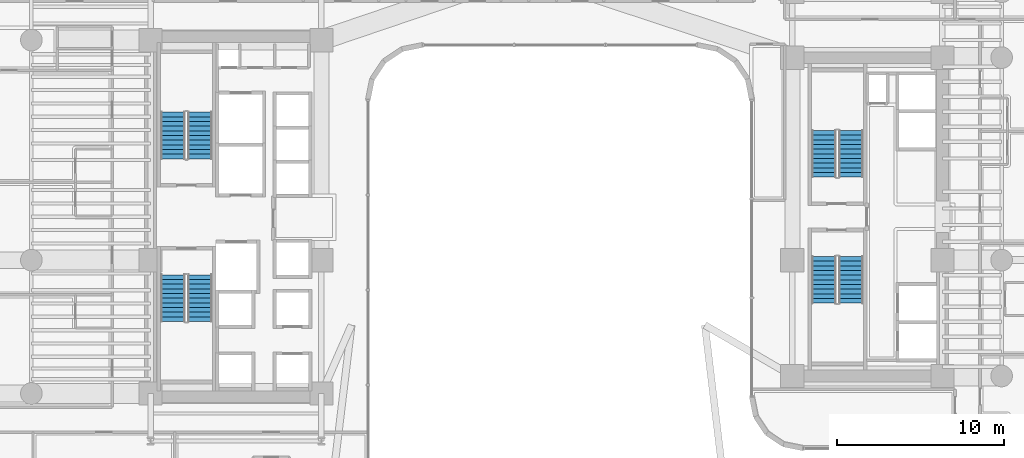
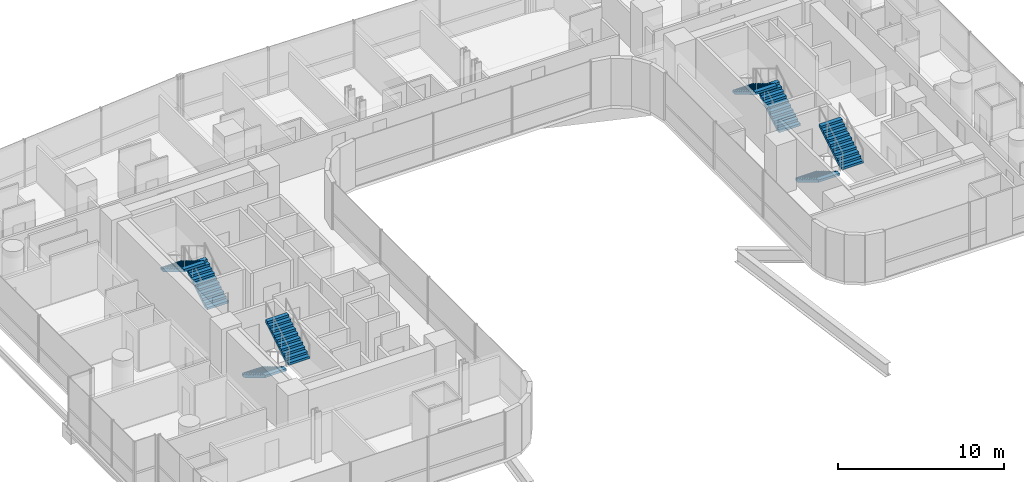
# One storey, part 44 of 50: 8 stair flights, 4 elements without a shape of their own.
"""IFC4 building model written with IfcOpenShell, lengths in metres."""

from ifc_helpers import new_model, si_unit, direction, frame, origin, place, context, subcontext, project, spatial, polyline, outline, extrude, material, type_object, element, aggregate, save


model = new_model("IFC4")

# Units and contexts
model_context = context("Model", 3, precision=1e-05, world=origin(), true_north=direction((0.0, 1.0)))
body_context = subcontext(model_context, "Body", "Model", "MODEL_VIEW")
ifc_project = project(units=[si_unit("LENGTHUNIT", "METRE"), si_unit("AREAUNIT", "SQUARE_METRE"), si_unit("VOLUMEUNIT", "CUBIC_METRE"), si_unit("PLANEANGLEUNIT", "RADIAN"), si_unit("MASSUNIT", "GRAM", prefix="KILO")], contexts=[model_context])

# Site, building, storey
site_placement = place(None, origin())
site = spatial("IfcSite", under=ifc_project, at=site_placement, CompositionType="ELEMENT")
building_placement = place(site_placement, origin())
building = spatial("IfcBuilding", under=site, at=building_placement, Name="Valdorenza Pilgrim Sanctuary Tower", CompositionType="ELEMENT")
storey_placement = place(building_placement, frame((0.0, 0.0, 26.0)))
storey = spatial("IfcBuildingStorey", under=building, at=storey_placement, Name="L05", CompositionType="ELEMENT", Elevation=26.0)

# Stair, stair flights
ifc_material = material(Name="Concrete C40/50", Category="concrete")
stair_type = type_object("IfcStairType", Name="STR-DOG-CORE", PredefinedType="HALF_TURN_STAIR", material=ifc_material)
stair_1_placement = place(storey_placement, origin())
stair_1 = element("IfcStair", 1, at=stair_1_placement, inside=storey, type_object=stair_type, Name="L05 ST-A1", PredefinedType="HALF_TURN_STAIR")
stair_flight_type = type_object("IfcStairFlightType", Name="STF-RC-1400", PredefinedType="STRAIGHT", material=ifc_material)
stair_flight_1_placement = place(storey_placement, frame((-19.679931640625, 3.47998046875, 0.0), z_axis=(0.0, 0.0, 1.0), x_axis=(0.0, 1.0, 0.0)))
stair_flight_1 = element("IfcStairFlight", 2, at=stair_flight_1_placement, type_object=stair_flight_type, Name="ST-A1 flight 1", NumberOfRisers=11, NumberOfTreads=10, PredefinedType="STRAIGHT", RiserHeight=0.168181818, TreadLength=0.28, context=body_context, shape_type="SweptSolid", body=[
    extrude(outline(polyline([(0.0, 0.0), (0.0, 0.168212890625), (0.280029296875, 0.168212890625), (0.280029296875, 0.33642578125), (0.56005859375, 0.33642578125), (0.56005859375, 0.504638671875), (0.840087890625, 0.504638671875), (0.840087890625, 0.672607421875), (1.1201171875, 0.672607421875), (1.1201171875, 0.8408203125), (1.39990234375, 0.8408203125), (1.39990234375, 1.009033203125), (1.679931640625, 1.009033203125), (1.679931640625, 1.17724609375), (1.9599609375, 1.17724609375), (1.9599609375, 1.345458984375), (2.239990234375, 1.345458984375), (2.239990234375, 1.513671875), (2.52001953125, 1.513671875), (2.52001953125, 1.681884765625), (2.800048828125, 1.681884765625), (2.800048828125, 1.85009765625), (2.800048828125, 1.5068359375), (0.291015625, 0.0), (0.0, 0.0)])), frame((0.0, 0.739990234375, 0.0), z_axis=(0.0, -1.0, 0.0), x_axis=(1.0, 0.0, 0.0)), (0.0, 0.0, 1.0), 1.47998046875),
])
stair_flight_2_placement = place(storey_placement, frame((-21.31005859375, 6.280029296875, 1.85009765625), z_axis=(0.0, 0.0, 1.0), x_axis=(0.0, -1.0, 0.0)))
stair_flight_2 = element("IfcStairFlight", 3, at=stair_flight_2_placement, type_object=stair_flight_type, Name="ST-A1 flight 2", NumberOfRisers=11, NumberOfTreads=10, PredefinedType="STRAIGHT", RiserHeight=0.168181818, TreadLength=0.28, context=body_context, shape_type="SweptSolid", body=[
    extrude(outline(polyline([(0.0, 0.0), (0.0, 0.168212890625), (0.280029296875, 0.168212890625), (0.280029296875, 0.33642578125), (0.56005859375, 0.33642578125), (0.56005859375, 0.504638671875), (0.840087890625, 0.504638671875), (0.840087890625, 0.672607421875), (1.1201171875, 0.672607421875), (1.1201171875, 0.8408203125), (1.39990234375, 0.8408203125), (1.39990234375, 1.009033203125), (1.679931640625, 1.009033203125), (1.679931640625, 1.17724609375), (1.9599609375, 1.17724609375), (1.9599609375, 1.345458984375), (2.239990234375, 1.345458984375), (2.239990234375, 1.513671875), (2.52001953125, 1.513671875), (2.52001953125, 1.681884765625), (2.800048828125, 1.681884765625), (2.800048828125, 1.85009765625), (2.800048828125, 1.5068359375), (0.291015625, 0.0), (0.0, 0.0)])), frame((0.0, 0.739990234375, 0.0), z_axis=(0.0, -1.0, 0.0), x_axis=(1.0, 0.0, 0.0)), (0.0, 0.0, 1.0), 1.47998046875),
])
aggregate(stair_1, [stair_flight_1, stair_flight_2])

stair_2_placement = place(storey_placement, origin())
stair_2 = element("IfcStair", 4, at=stair_2_placement, inside=storey, type_object=stair_type, Name="L05 ST-A2", PredefinedType="HALF_TURN_STAIR")
stair_flight_3_placement = place(storey_placement, frame((-21.31005859375, -3.47998046875, 0.0), z_axis=(0.0, 0.0, 1.0), x_axis=(0.0, -1.0, 0.0)))
stair_flight_3 = element("IfcStairFlight", 5, at=stair_flight_3_placement, type_object=stair_flight_type, Name="ST-A2 flight 1", NumberOfRisers=11, NumberOfTreads=10, PredefinedType="STRAIGHT", RiserHeight=0.168181818, TreadLength=0.28, context=body_context, shape_type="SweptSolid", body=[
    extrude(outline(polyline([(0.0, 0.0), (0.0, 0.168212890625), (0.280029296875, 0.168212890625), (0.280029296875, 0.33642578125), (0.56005859375, 0.33642578125), (0.56005859375, 0.504638671875), (0.840087890625, 0.504638671875), (0.840087890625, 0.672607421875), (1.1201171875, 0.672607421875), (1.1201171875, 0.8408203125), (1.39990234375, 0.8408203125), (1.39990234375, 1.009033203125), (1.679931640625, 1.009033203125), (1.679931640625, 1.17724609375), (1.9599609375, 1.17724609375), (1.9599609375, 1.345458984375), (2.239990234375, 1.345458984375), (2.239990234375, 1.513671875), (2.52001953125, 1.513671875), (2.52001953125, 1.681884765625), (2.800048828125, 1.681884765625), (2.800048828125, 1.85009765625), (2.800048828125, 1.5068359375), (0.291015625, 0.0), (0.0, 0.0)])), frame((0.0, 0.739990234375, 0.0), z_axis=(0.0, -1.0, 0.0), x_axis=(1.0, 0.0, 0.0)), (0.0, 0.0, 1.0), 1.47998046875),
])
stair_flight_4_placement = place(storey_placement, frame((-19.679931640625, -6.280029296875, 1.85009765625), z_axis=(0.0, 0.0, 1.0), x_axis=(0.0, 1.0, 0.0)))
stair_flight_4 = element("IfcStairFlight", 6, at=stair_flight_4_placement, type_object=stair_flight_type, Name="ST-A2 flight 2", NumberOfRisers=11, NumberOfTreads=10, PredefinedType="STRAIGHT", RiserHeight=0.168181818, TreadLength=0.28, context=body_context, shape_type="SweptSolid", body=[
    extrude(outline(polyline([(0.0, 0.0), (0.0, 0.168212890625), (0.280029296875, 0.168212890625), (0.280029296875, 0.33642578125), (0.56005859375, 0.33642578125), (0.56005859375, 0.504638671875), (0.840087890625, 0.504638671875), (0.840087890625, 0.672607421875), (1.1201171875, 0.672607421875), (1.1201171875, 0.8408203125), (1.39990234375, 0.8408203125), (1.39990234375, 1.009033203125), (1.679931640625, 1.009033203125), (1.679931640625, 1.17724609375), (1.9599609375, 1.17724609375), (1.9599609375, 1.345458984375), (2.239990234375, 1.345458984375), (2.239990234375, 1.513671875), (2.52001953125, 1.513671875), (2.52001953125, 1.681884765625), (2.800048828125, 1.681884765625), (2.800048828125, 1.85009765625), (2.800048828125, 1.5068359375), (0.291015625, 0.0), (0.0, 0.0)])), frame((0.0, 0.739990234375, 0.0), z_axis=(0.0, -1.0, 0.0), x_axis=(1.0, 0.0, 0.0)), (0.0, 0.0, 1.0), 1.47998046875),
])
aggregate(stair_2, [stair_flight_3, stair_flight_4])

stair_3_placement = place(storey_placement, origin())
stair_3 = element("IfcStair", 7, at=stair_3_placement, inside=storey, type_object=stair_type, Name="L05 ST-B1", PredefinedType="HALF_TURN_STAIR")
stair_flight_5_placement = place(storey_placement, frame((19.3701171875, 2.3798828125, 0.0), z_axis=(0.0, 0.0, 1.0), x_axis=(0.0, 1.0, 0.0)))
stair_flight_5 = element("IfcStairFlight", 8, at=stair_flight_5_placement, type_object=stair_flight_type, Name="ST-B1 flight 1", NumberOfRisers=11, NumberOfTreads=10, PredefinedType="STRAIGHT", RiserHeight=0.168181818, TreadLength=0.28, context=body_context, shape_type="SweptSolid", body=[
    extrude(outline(polyline([(0.0, 0.0), (0.0, 0.168212890625), (0.280029296875, 0.168212890625), (0.280029296875, 0.33642578125), (0.56005859375, 0.33642578125), (0.56005859375, 0.504638671875), (0.840087890625, 0.504638671875), (0.840087890625, 0.672607421875), (1.1201171875, 0.672607421875), (1.1201171875, 0.8408203125), (1.39990234375, 0.8408203125), (1.39990234375, 1.009033203125), (1.679931640625, 1.009033203125), (1.679931640625, 1.17724609375), (1.9599609375, 1.17724609375), (1.9599609375, 1.345458984375), (2.239990234375, 1.345458984375), (2.239990234375, 1.513671875), (2.52001953125, 1.513671875), (2.52001953125, 1.681884765625), (2.800048828125, 1.681884765625), (2.800048828125, 1.85009765625), (2.800048828125, 1.5068359375), (0.291015625, 0.0), (0.0, 0.0)])), frame((0.0, 0.739990234375, 0.0), z_axis=(0.0, -1.0, 0.0), x_axis=(1.0, 0.0, 0.0)), (0.0, 0.0, 1.0), 1.47998046875),
])
stair_flight_6_placement = place(storey_placement, frame((17.739990234375, 5.179931640625, 1.85009765625), z_axis=(0.0, 0.0, 1.0), x_axis=(0.0, -1.0, 0.0)))
stair_flight_6 = element("IfcStairFlight", 9, at=stair_flight_6_placement, type_object=stair_flight_type, Name="ST-B1 flight 2", NumberOfRisers=11, NumberOfTreads=10, PredefinedType="STRAIGHT", RiserHeight=0.168181818, TreadLength=0.28, context=body_context, shape_type="SweptSolid", body=[
    extrude(outline(polyline([(0.0, 0.0), (0.0, 0.168212890625), (0.280029296875, 0.168212890625), (0.280029296875, 0.33642578125), (0.56005859375, 0.33642578125), (0.56005859375, 0.504638671875), (0.840087890625, 0.504638671875), (0.840087890625, 0.672607421875), (1.1201171875, 0.672607421875), (1.1201171875, 0.8408203125), (1.39990234375, 0.8408203125), (1.39990234375, 1.009033203125), (1.679931640625, 1.009033203125), (1.679931640625, 1.17724609375), (1.9599609375, 1.17724609375), (1.9599609375, 1.345458984375), (2.239990234375, 1.345458984375), (2.239990234375, 1.513671875), (2.52001953125, 1.513671875), (2.52001953125, 1.681884765625), (2.800048828125, 1.681884765625), (2.800048828125, 1.85009765625), (2.800048828125, 1.5068359375), (0.291015625, 0.0), (0.0, 0.0)])), frame((0.0, 0.739990234375, 0.0), z_axis=(0.0, -1.0, 0.0), x_axis=(1.0, 0.0, 0.0)), (0.0, 0.0, 1.0), 1.47998046875),
])
aggregate(stair_3, [stair_flight_5, stair_flight_6])

stair_4_placement = place(storey_placement, origin())
stair_4 = element("IfcStair", 10, at=stair_4_placement, inside=storey, type_object=stair_type, Name="L05 ST-B2", PredefinedType="HALF_TURN_STAIR")
stair_flight_7_placement = place(storey_placement, frame((17.739990234375, -2.3798828125, 0.0), z_axis=(0.0, 0.0, 1.0), x_axis=(0.0, -1.0, 0.0)))
stair_flight_7 = element("IfcStairFlight", 11, at=stair_flight_7_placement, type_object=stair_flight_type, Name="ST-B2 flight 1", NumberOfRisers=11, NumberOfTreads=10, PredefinedType="STRAIGHT", RiserHeight=0.168181818, TreadLength=0.28, context=body_context, shape_type="SweptSolid", body=[
    extrude(outline(polyline([(0.0, 0.0), (0.0, 0.168212890625), (0.280029296875, 0.168212890625), (0.280029296875, 0.33642578125), (0.56005859375, 0.33642578125), (0.56005859375, 0.504638671875), (0.840087890625, 0.504638671875), (0.840087890625, 0.672607421875), (1.1201171875, 0.672607421875), (1.1201171875, 0.8408203125), (1.39990234375, 0.8408203125), (1.39990234375, 1.009033203125), (1.679931640625, 1.009033203125), (1.679931640625, 1.17724609375), (1.9599609375, 1.17724609375), (1.9599609375, 1.345458984375), (2.239990234375, 1.345458984375), (2.239990234375, 1.513671875), (2.52001953125, 1.513671875), (2.52001953125, 1.681884765625), (2.800048828125, 1.681884765625), (2.800048828125, 1.85009765625), (2.800048828125, 1.5068359375), (0.291015625, 0.0), (0.0, 0.0)])), frame((0.0, 0.739990234375, 0.0), z_axis=(0.0, -1.0, 0.0), x_axis=(1.0, 0.0, 0.0)), (0.0, 0.0, 1.0), 1.47998046875),
])
stair_flight_8_placement = place(storey_placement, frame((19.3701171875, -5.179931640625, 1.85009765625), z_axis=(0.0, 0.0, 1.0), x_axis=(0.0, 1.0, 0.0)))
stair_flight_8 = element("IfcStairFlight", 12, at=stair_flight_8_placement, type_object=stair_flight_type, Name="ST-B2 flight 2", NumberOfRisers=11, NumberOfTreads=10, PredefinedType="STRAIGHT", RiserHeight=0.168181818, TreadLength=0.28, context=body_context, shape_type="SweptSolid", body=[
    extrude(outline(polyline([(0.0, 0.0), (0.0, 0.168212890625), (0.280029296875, 0.168212890625), (0.280029296875, 0.33642578125), (0.56005859375, 0.33642578125), (0.56005859375, 0.504638671875), (0.840087890625, 0.504638671875), (0.840087890625, 0.672607421875), (1.1201171875, 0.672607421875), (1.1201171875, 0.8408203125), (1.39990234375, 0.8408203125), (1.39990234375, 1.009033203125), (1.679931640625, 1.009033203125), (1.679931640625, 1.17724609375), (1.9599609375, 1.17724609375), (1.9599609375, 1.345458984375), (2.239990234375, 1.345458984375), (2.239990234375, 1.513671875), (2.52001953125, 1.513671875), (2.52001953125, 1.681884765625), (2.800048828125, 1.681884765625), (2.800048828125, 1.85009765625), (2.800048828125, 1.5068359375), (0.291015625, 0.0), (0.0, 0.0)])), frame((0.0, 0.739990234375, 0.0), z_axis=(0.0, -1.0, 0.0), x_axis=(1.0, 0.0, 0.0)), (0.0, 0.0, 1.0), 1.47998046875),
])
aggregate(stair_4, [stair_flight_7, stair_flight_8])

save(model, "model.ifc")
